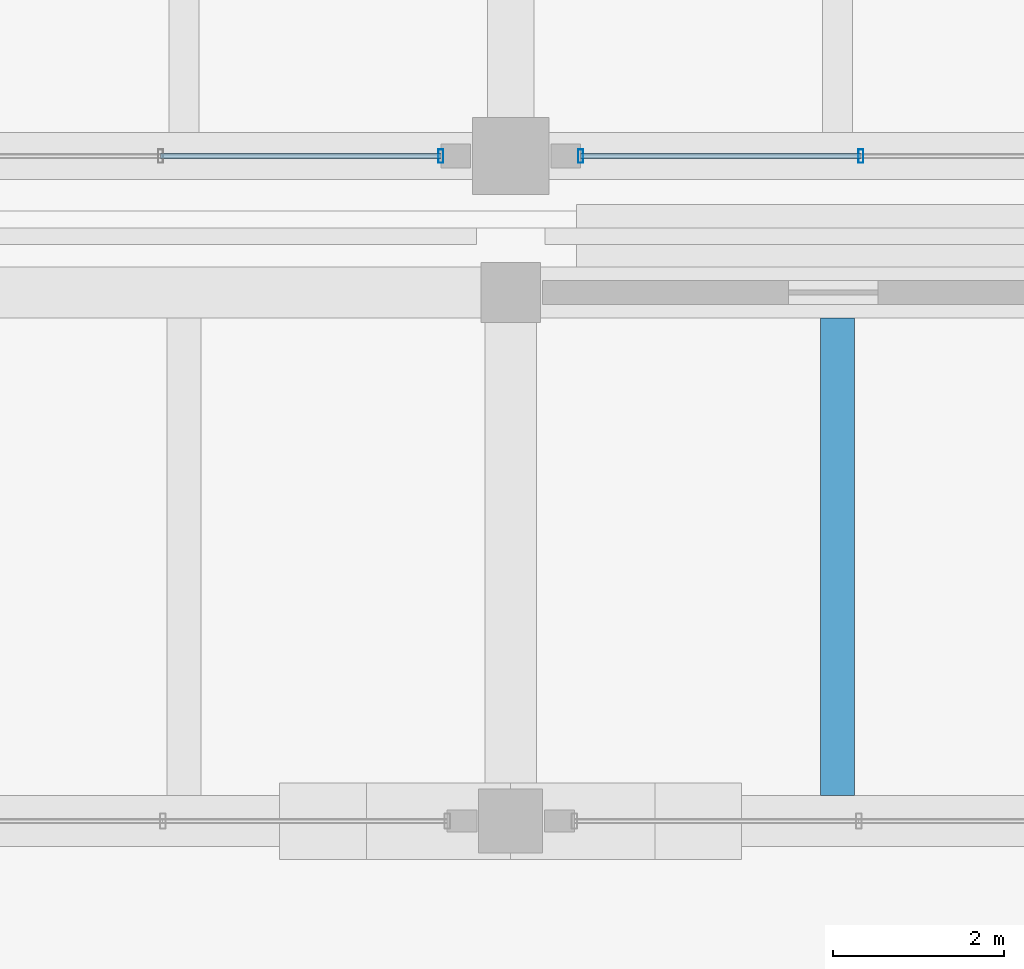
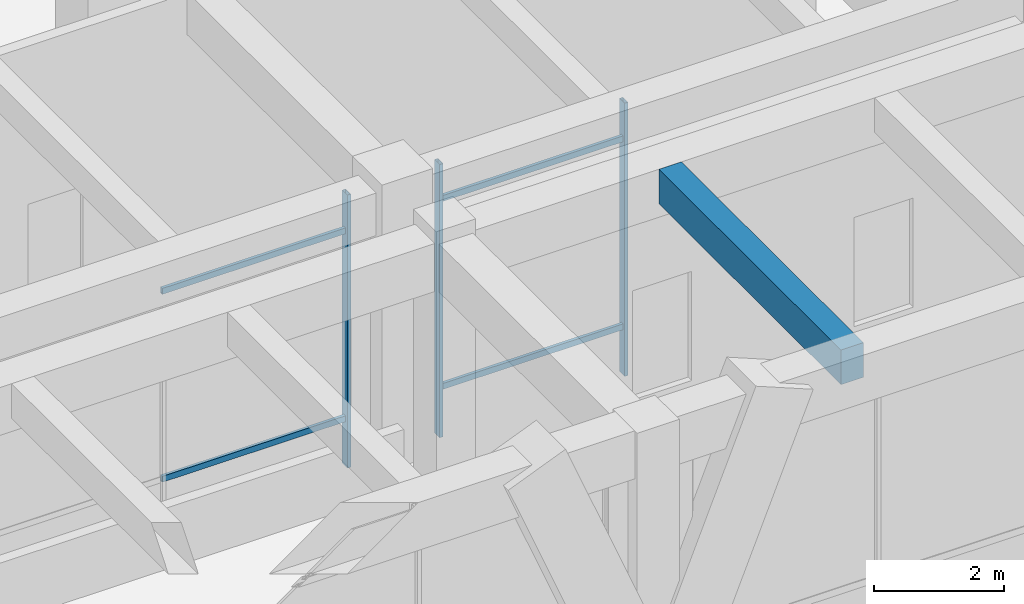
# One storey, part 101 of 148: 7 members, 1 beam, 2 elements without a shape of their own.
"""IFC4 building model written with IfcOpenShell, lengths in metres."""

from ifc_helpers import new_model, si_unit, direction, frame, origin, origin_2d, place, context, subcontext, project, spatial, rectangle, hollow_rectangle, extrude, material, material_profile, profile_set, type_object, element, aggregate, save


model = new_model("IFC4")

# Units and contexts
model_context = context("Model", 3, precision=1e-05, world=origin(), true_north=direction((0.0, 1.0)))
body_context = subcontext(model_context, "Body", "Model", "MODEL_VIEW")
ifc_project = project(units=[si_unit("LENGTHUNIT", "METRE"), si_unit("AREAUNIT", "SQUARE_METRE"), si_unit("VOLUMEUNIT", "CUBIC_METRE"), si_unit("PLANEANGLEUNIT", "RADIAN"), si_unit("MASSUNIT", "GRAM", prefix="KILO")], contexts=[model_context])

# Site, building, storey
site_placement = place(None, origin())
site = spatial("IfcSite", under=ifc_project, at=site_placement, CompositionType="ELEMENT")
building_placement = place(site_placement, origin())
building = spatial("IfcBuilding", under=site, at=building_placement, Name="Ologun Quay Terminus", CompositionType="ELEMENT")
storey_placement = place(building_placement, frame((0.0, 0.0, 8.39990234375)))
storey = spatial("IfcBuildingStorey", under=building, at=storey_placement, Name="L02", CompositionType="ELEMENT", Elevation=8.39990234375)

# Curtain wall, member
ifc_material_1 = material(Name="Aluminium 6063-T6", Category="aluminium")
curtain_wall_type = type_object("IfcCurtainWallType", Name="Waterfront Pavilion Harbour Curtain Wall L02 10500x5000", PredefinedType="USERDEFINED", material=ifc_material_1)
curtain_wall_1_placement = place(storey_placement, origin())
curtain_wall_1 = element("IfcCurtainWall", 1, at=curtain_wall_1_placement, inside=storey, type_object=curtain_wall_type, Name="CW-24 Curtain Wall CW-L02-131", ObjectType="UNITISED CURTAIN WALL", PredefinedType="USERDEFINED")
ifc_material_2 = material(Name="Aluminium 6063-T6", Category="aluminium")
ifc_material_profile_1 = material_profile(ifc_material_2, hollow_rectangle(XDim=0.06005859375, YDim=0.159912109375, WallThickness=0.00390625, at=origin_2d()), Name="ALU 160x60x4")
ifc_profile_set_1 = profile_set([ifc_material_profile_1], Name="Aluminium 6063-T6")
member_type_1 = type_object("IfcMemberType", Name="Courtyard Screen Mullion 160x65", PredefinedType="MULLION", material=ifc_profile_set_1)
member_1_placement = place(storey_placement, frame((137.179931640625, 85.800048828125, 0.0), z_axis=(0.0, 0.0, 1.0), x_axis=(1.0, 0.0, 0.0)))
member_1 = element("IfcMember", 2, at=member_1_placement, type_object=member_type_1, Name="CW-L02-131 Mullion 4", PredefinedType="MULLION", context=body_context, shape_type="SweptSolid", body=[
    extrude(hollow_rectangle(XDim=0.06005859375, YDim=0.159912109375, WallThickness=0.00390625, at=origin_2d()), origin(), (0.0, 0.0, 1.0), 5.130126953125),
])

# Curtain wall, members
curtain_wall_2_placement = place(storey_placement, origin())
curtain_wall_2 = element("IfcCurtainWall", 3, at=curtain_wall_2_placement, inside=storey, type_object=curtain_wall_type, Name="CW-24 Curtain Wall CW-L02-132", ObjectType="UNITISED CURTAIN WALL", PredefinedType="USERDEFINED")
member_2_placement = place(storey_placement, frame((138.820068359375, 85.800048828125, 0.0), z_axis=(0.0, 0.0, 1.0), x_axis=(1.0, 0.0, 0.0)))
member_2 = element("IfcMember", 4, at=member_2_placement, type_object=member_type_1, Name="CW-L02-132 Mullion 1", PredefinedType="MULLION", context=body_context, shape_type="SweptSolid", body=[
    extrude(hollow_rectangle(XDim=0.06005859375, YDim=0.159912109375, WallThickness=0.00390625, at=origin_2d()), origin(), (0.0, 0.0, 1.0), 5.130126953125),
])
member_3_placement = place(storey_placement, frame((142.106689453125, 85.800048828125, 0.0), z_axis=(0.0, 0.0, 1.0), x_axis=(1.0, 0.0, 0.0)))
member_3 = element("IfcMember", 5, at=member_3_placement, type_object=member_type_1, Name="CW-L02-132 Mullion 2", PredefinedType="MULLION", context=body_context, shape_type="SweptSolid", body=[
    extrude(hollow_rectangle(XDim=0.06005859375, YDim=0.159912109375, WallThickness=0.00390625, at=origin_2d()), origin(), (0.0, 0.0, 1.0), 5.130126953125),
])

# Member
ifc_material_3 = material(Name="Aluminium 6063-T6", Category="aluminium")
ifc_material_profile_2 = material_profile(ifc_material_3, hollow_rectangle(XDim=0.054931640625, YDim=0.110107421875, WallThickness=0.00390625, at=origin_2d()), Name="ALU 110x55x4")
ifc_profile_set_2 = profile_set([ifc_material_profile_2], Name="Aluminium 6063-T6")
member_type_2 = type_object("IfcMemberType", Name="Courtyard Screen Transom 110x55", PredefinedType="USERDEFINED", material=ifc_profile_set_2)
member_4_placement = place(storey_placement, frame((133.893310546875, 85.800048828125, 0.900146484375), z_axis=(1.0, 0.0, 0.0), x_axis=(0.0, 1.0, 0.0)))
member_4 = element("IfcMember", 6, at=member_4_placement, type_object=member_type_2, Name="CW-L02-131 Transom B3-1", ObjectType="TRANSOM", PredefinedType="USERDEFINED", context=body_context, shape_type="SweptSolid", body=[
    extrude(hollow_rectangle(XDim=0.054931640625, YDim=0.110107421875, WallThickness=0.00390625, at=origin_2d()), origin(), (0.0, 0.0, 1.0), 3.28662109375),
])

member_5_placement = place(storey_placement, frame((133.893310546875, 85.800048828125, 4.43017578125), z_axis=(1.0, 0.0, 0.0), x_axis=(0.0, 1.0, 0.0)))
member_5 = element("IfcMember", 7, at=member_5_placement, type_object=member_type_2, Name="CW-L02-131 Transom B3-2", ObjectType="TRANSOM", PredefinedType="USERDEFINED", context=body_context, shape_type="SweptSolid", body=[
    extrude(hollow_rectangle(XDim=0.054931640625, YDim=0.110107421875, WallThickness=0.00390625, at=origin_2d()), origin(), (0.0, 0.0, 1.0), 3.28662109375),
])

aggregate(curtain_wall_1, [member_1, member_4, member_5])

member_6_placement = place(storey_placement, frame((138.820068359375, 85.800048828125, 0.900146484375), z_axis=(1.0, 0.0, 0.0), x_axis=(0.0, 1.0, 0.0)))
member_6 = element("IfcMember", 8, at=member_6_placement, type_object=member_type_2, Name="CW-L02-132 Transom B1-1", ObjectType="TRANSOM", PredefinedType="USERDEFINED", context=body_context, shape_type="SweptSolid", body=[
    extrude(hollow_rectangle(XDim=0.054931640625, YDim=0.110107421875, WallThickness=0.00390625, at=origin_2d()), origin(), (0.0, 0.0, 1.0), 3.28662109375),
])

member_7_placement = place(storey_placement, frame((138.820068359375, 85.800048828125, 4.43017578125), z_axis=(1.0, 0.0, 0.0), x_axis=(0.0, 1.0, 0.0)))
member_7 = element("IfcMember", 9, at=member_7_placement, type_object=member_type_2, Name="CW-L02-132 Transom B1-2", ObjectType="TRANSOM", PredefinedType="USERDEFINED", context=body_context, shape_type="SweptSolid", body=[
    extrude(hollow_rectangle(XDim=0.054931640625, YDim=0.110107421875, WallThickness=0.00390625, at=origin_2d()), origin(), (0.0, 0.0, 1.0), 3.28662109375),
])

aggregate(curtain_wall_2, [member_2, member_3, member_6, member_7])

# Beam
ifc_material_4 = material(Name="Concrete C40/50", Category="concrete")
ifc_material_profile_3 = material_profile(ifc_material_4, rectangle(XDim=0.39990234375, YDim=0.64990234375, at=origin_2d()), Name="RC 400x650")
ifc_profile_set_3 = profile_set([ifc_material_profile_3], Name="Concrete C40/50")
beam_type = type_object("IfcBeamType", Name="Station Secondary Joist 400x650", PredefinedType="JOIST", material=ifc_profile_set_3)
beam_placement = place(storey_placement, frame((141.833251953125, 78.300048828125, 4.8251953125), z_axis=(0.0, 1.0, 0.0), x_axis=(-1.0, 0.0, 0.0)))
element("IfcBeam", 10, at=beam_placement, inside=storey, type_object=beam_type, Name="J1 Beam 13/F L02", PredefinedType="JOIST", context=body_context, shape_type="SweptSolid", body=[
    extrude(rectangle(XDim=0.39990234375, YDim=0.64990234375, at=origin_2d()), origin(), (0.0, 0.0, 1.0), 5.599853515625),
])

save(model, "model.ifc")
